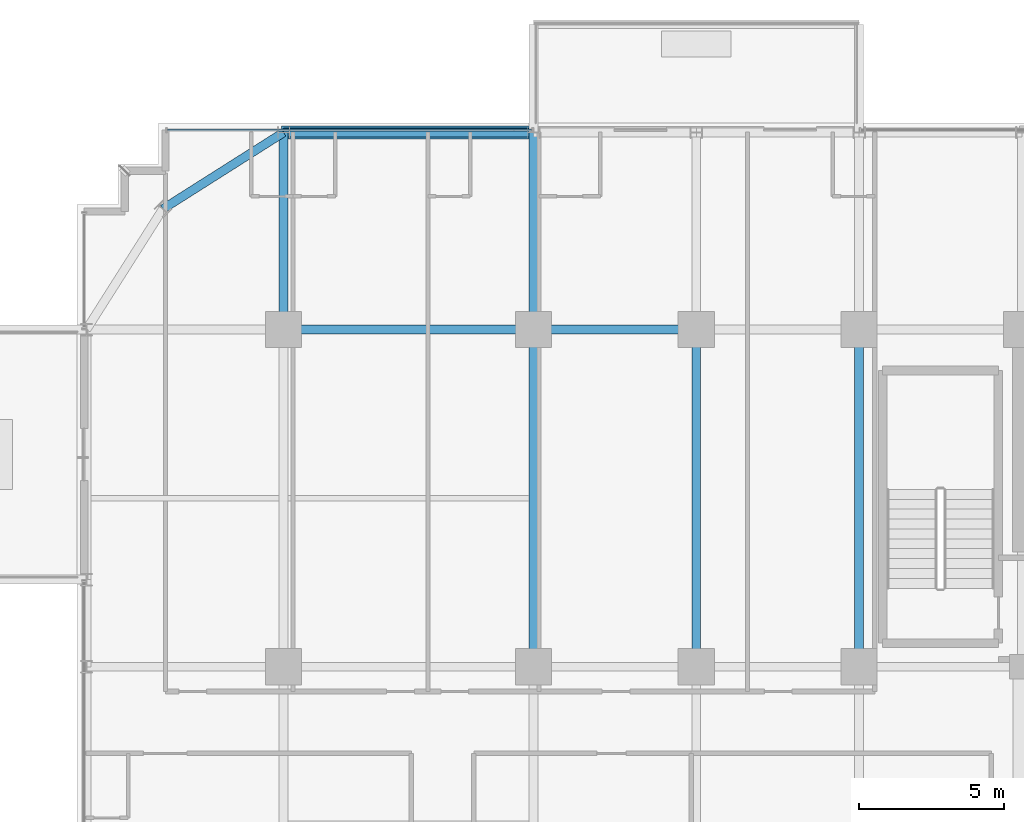
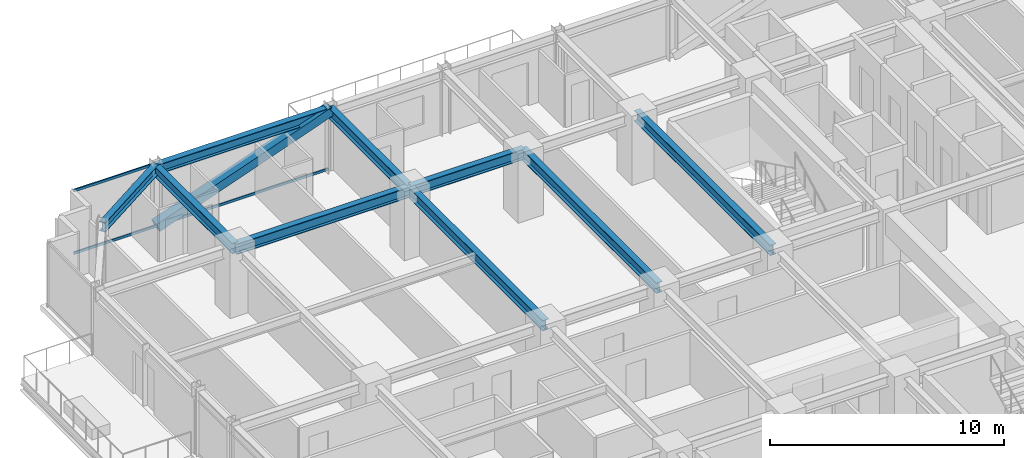
# One storey, part 19 of 40: 9 beams, 3 members, 1 element without a shape of its own.
"""IFC4 building model written with IfcOpenShell, lengths in metres."""

from ifc_helpers import new_model, si_unit, direction, frame, origin, origin_2d, place, context, subcontext, project, spatial, hollow_rectangle, i_section, extrude, source, transform, mapped, material, material_profile, profile_set, type_object, element, aggregate, save


model = new_model("IFC4")

# Units and contexts
model_context = context("Model", 3, precision=1e-05, world=origin(), true_north=direction((0.0, 1.0)))
body_context = subcontext(model_context, "Body", "Model", "MODEL_VIEW")
ifc_project = project(units=[si_unit("LENGTHUNIT", "METRE"), si_unit("AREAUNIT", "SQUARE_METRE"), si_unit("VOLUMEUNIT", "CUBIC_METRE"), si_unit("PLANEANGLEUNIT", "RADIAN"), si_unit("MASSUNIT", "GRAM", prefix="KILO")], contexts=[model_context])

# Site, building, storey
site_placement = place(None, origin())
site = spatial("IfcSite", under=ifc_project, at=site_placement, CompositionType="ELEMENT")
building_placement = place(site_placement, origin())
building = spatial("IfcBuilding", under=site, at=building_placement, Name="Nahalor Promenade Grand Hotel", CompositionType="ELEMENT")
storey_placement = place(building_placement, frame((0.0, 0.0, 91.949951171875)))
storey = spatial("IfcBuildingStorey", under=building, at=storey_placement, Name="L22", CompositionType="ELEMENT", Elevation=91.949951171875)

# Beams
ifc_material_1 = material(Name="Steel S355JR", Category="steel")
ifc_material_profile_1 = material_profile(ifc_material_1, i_section(OverallWidth=0.3, OverallDepth=0.5, WebThickness=0.0145, FlangeThickness=0.028, at=origin_2d()), Name="HEB 500")
ifc_profile_set_1 = profile_set([ifc_material_profile_1], Name="Steel S355JR")
beam_type_1 = type_object("IfcBeamType", Name="Beam-Spandrel-HEB500", PredefinedType="SPANDREL", material=ifc_profile_set_1)
shared_shape_1 = source(origin(), body_context, "Body", "SweptSolid", [
    extrude(i_section(OverallWidth=0.3, OverallDepth=0.5, WebThickness=0.0145, FlangeThickness=0.028, at=origin_2d()), origin(), (0.0, 0.0, 1.0), 8.60009765625),
])
beam_1_placement = place(storey_placement, frame((-17.0, 23.780029296875, 3.130126953125), z_axis=(1.0, 0.0, 0.0), x_axis=(0.0, 1.0, 0.0)))
element("IfcBeam", 1, at=beam_1_placement, inside=storey, type_object=beam_type_1, Name="BM-L22-SP-N-0", PredefinedType="SPANDREL", context=body_context, shape_type="MappedRepresentation", body=[
    mapped(shared_shape_1, transform((0.0, 0.0, 0.0), scale=1.0)),
])
shared_shape_2 = source(origin(), body_context, "Body", "SweptSolid", [
    extrude(i_section(OverallWidth=0.3, OverallDepth=0.5, WebThickness=0.0145, FlangeThickness=0.028, at=origin_2d()), origin(), (0.0, 0.0, 1.0), 4.9130859375),
])
beam_2_placement = place(storey_placement, frame((-17.0, 23.780029296875, 3.130126953125), z_axis=(-0.844648325505, -0.535321591403, 0.0), x_axis=(0.535321591403, -0.844648325505, 0.0)))
element("IfcBeam", 2, at=beam_2_placement, inside=storey, type_object=beam_type_1, Name="BM-L22-SPC-NW-1", PredefinedType="SPANDREL", context=body_context, shape_type="MappedRepresentation", body=[
    mapped(shared_shape_2, transform((0.0, 0.0, 0.0), scale=1.0)),
])
ifc_material_profile_2 = material_profile(ifc_material_1, i_section(OverallWidth=0.3, OverallDepth=0.55, WebThickness=0.015, FlangeThickness=0.029, at=origin_2d()), Name="HEB 550")
ifc_profile_set_2 = profile_set([ifc_material_profile_2], Name="Steel S355JR")
beam_type_2 = type_object("IfcBeamType", Name="Beam-Girder-HEB550", PredefinedType="BEAM", material=ifc_profile_set_2)
shared_shape_3 = source(origin(), body_context, "Body", "SweptSolid", [
    extrude(i_section(OverallWidth=0.3, OverallDepth=0.55, WebThickness=0.015, FlangeThickness=0.029, at=origin_2d()), origin(), (0.0, 0.0, 1.0), 6.780029296875),
])
for number, where, z_axis, x_axis, name in (
    (3, (-17.0, 17.0, 3.10498046875), (0.0, 1.0, 0.0), (-1.0, 0.0, 0.0), "BM-L22-GY-0-4"),
    (4, (-8.39990234375, 17.0, 3.10498046875), (0.0, 1.0, 0.0), (-1.0, 0.0, 0.0), "BM-L22-GY-1-4"),
):
    element("IfcBeam", number, at=place(storey_placement, frame(where, z_axis=z_axis, x_axis=x_axis)), inside=storey, type_object=beam_type_2, Name=name, PredefinedType="BEAM", context=body_context, shape_type="MappedRepresentation", body=[
        mapped(shared_shape_3, transform((0.0, 0.0, 0.0), scale=1.0)),
    ])
shared_shape_4 = source(origin(), body_context, "Body", "SweptSolid", [
    extrude(i_section(OverallWidth=0.3, OverallDepth=0.55, WebThickness=0.015, FlangeThickness=0.029, at=origin_2d()), origin(), (0.0, 0.0, 1.0), 8.60009765625),
])
beam_3_placement = place(storey_placement, frame((-17.0, 17.0, 3.10498046875), z_axis=(1.0, 0.0, 0.0), x_axis=(0.0, 1.0, 0.0)))
element("IfcBeam", 5, at=beam_3_placement, inside=storey, type_object=beam_type_2, Name="BM-L22-GX-3-1", PredefinedType="BEAM", context=body_context, shape_type="MappedRepresentation", body=[
    mapped(shared_shape_4, transform((0.0, 0.0, 0.0), scale=1.0)),
])
shared_shape_5 = source(origin(), body_context, "Body", "SweptSolid", [
    extrude(i_section(OverallWidth=0.3, OverallDepth=0.55, WebThickness=0.015, FlangeThickness=0.029, at=origin_2d()), origin(), (0.0, 0.0, 1.0), 5.599853515625),
])
beam_4_placement = place(storey_placement, frame((-8.39990234375, 17.0, 3.10498046875), z_axis=(1.0, 0.0, 0.0), x_axis=(0.0, 1.0, 0.0)))
element("IfcBeam", 6, at=beam_4_placement, inside=storey, type_object=beam_type_2, Name="BM-L22-GX-3-2", PredefinedType="BEAM", context=body_context, shape_type="MappedRepresentation", body=[
    mapped(shared_shape_5, transform((0.0, 0.0, 0.0), scale=1.0)),
])
shared_shape_6 = source(origin(), body_context, "Body", "SweptSolid", [
    extrude(i_section(OverallWidth=0.3, OverallDepth=0.55, WebThickness=0.015, FlangeThickness=0.029, at=origin_2d()), origin(), (0.0, 0.0, 1.0), 11.60009765625),
])
for number, where, z_axis, x_axis, name in (
    (7, (-8.39990234375, 5.39990234375, 3.10498046875), (0.0, 1.0, 0.0), (-1.0, 0.0, 0.0), "BM-L22-GY-1-3"),
    (8, (-2.800048828125, 5.39990234375, 3.10498046875), (0.0, 1.0, 0.0), (-1.0, 0.0, 0.0), "BM-L22-GY-2-3"),
    (9, (2.800048828125, 5.39990234375, 3.10498046875), (0.0, 1.0, 0.0), (-1.0, 0.0, 0.0), "BM-L22-GY-3-3"),
):
    element("IfcBeam", number, at=place(storey_placement, frame(where, z_axis=z_axis, x_axis=x_axis)), inside=storey, type_object=beam_type_2, Name=name, PredefinedType="BEAM", context=body_context, shape_type="MappedRepresentation", body=[
        mapped(shared_shape_6, transform((0.0, 0.0, 0.0), scale=1.0)),
    ])

# Member
ifc_material_2 = material(Name="Steel S355J2", Category="steel")
ifc_material_profile_3 = material_profile(ifc_material_2, hollow_rectangle(XDim=0.45, YDim=0.45, WallThickness=0.025, at=origin_2d()), Name="SHS 450x450x25")
ifc_profile_set_3 = profile_set([ifc_material_profile_3], Name="Steel S355J2")
member_type_1 = type_object("IfcMemberType", Name="Mem-ExoBrace-SHS450", PredefinedType="BRACE", material=ifc_profile_set_3)
shared_shape_7 = source(origin(), body_context, "Body", "SweptSolid", [
    extrude(hollow_rectangle(XDim=0.45, YDim=0.45, WallThickness=0.025, at=origin_2d()), origin(), (0.0, 0.0, 1.0), 9.135009765625),
])
member_1_placement = place(storey_placement, frame((-17.0, 23.780029296875, 0.150146484375), z_axis=(0.941451323466, 0.0, 0.337148936738), x_axis=(0.0, 1.0, 0.0)))
element("IfcMember", 10, at=member_1_placement, inside=storey, type_object=member_type_1, Name="EXO-L22-N-0", PredefinedType="BRACE", context=body_context, shape_type="MappedRepresentation", body=[
    mapped(shared_shape_7, transform((0.0, 0.0, 0.0), scale=1.0)),
])

# Curtain wall, members
ifc_material_3 = material(Name="Anodised Bronze Aluminium EN AW-6063 T6", Category="aluminium")
curtain_wall_type = type_object("IfcCurtainWallType", Name="CW2 Typical Hotel Flush Bronze Unitised Curtain Wall", PredefinedType="USERDEFINED", material=ifc_material_3)
curtain_wall_placement = place(storey_placement, origin())
curtain_wall = element("IfcCurtainWall", 11, at=curtain_wall_placement, inside=storey, type_object=curtain_wall_type, Name="L22 Curtain Wall CW-L22-N-1", ObjectType="UNITISED_CURTAIN_WALL", PredefinedType="USERDEFINED")
ifc_material_profile_4 = material_profile(ifc_material_3, hollow_rectangle(XDim=0.065, YDim=0.13, WallThickness=0.004, at=origin_2d()), Name="CWT 65x130x4")
ifc_profile_set_4 = profile_set([ifc_material_profile_4], Name="Anodised Bronze Aluminium EN AW-6063 T6")
member_type_2 = type_object("IfcMemberType", Name="CWT2 Typical Bronze Transom 65x130", PredefinedType="USERDEFINED", material=ifc_profile_set_4)
shared_shape_8 = source(origin(), body_context, "Body", "SweptSolid", [
    extrude(hollow_rectangle(XDim=0.065, YDim=0.13, WallThickness=0.004, at=origin_2d()), origin(), (0.0, 0.0, 1.0), 12.530029296875),
])
member_2_placement = place(storey_placement, frame((-20.9951171875, 23.860107421875, 0.06494140625), z_axis=(1.0, 0.0, 0.0), x_axis=(0.0, 1.0, 0.0)))
member_2 = element("IfcMember", 12, at=member_2_placement, type_object=member_type_2, Name="CW-L22-N-1 Transom 0-0", ObjectType="TRANSOM", PredefinedType="USERDEFINED", context=body_context, shape_type="MappedRepresentation", body=[
    mapped(shared_shape_8, transform((0.0, 0.0, 0.0), scale=1.0)),
])
member_3_placement = place(storey_placement, frame((-20.9951171875, 23.860107421875, 3.31494140625), z_axis=(1.0, 0.0, 0.0), x_axis=(0.0, 1.0, 0.0)))
member_3 = element("IfcMember", 13, at=member_3_placement, type_object=member_type_2, Name="CW-L22-N-1 Transom 0-1", ObjectType="TRANSOM", PredefinedType="USERDEFINED", context=body_context, shape_type="MappedRepresentation", body=[
    mapped(shared_shape_8, transform((0.0, 0.0, 0.0), scale=1.0)),
])
aggregate(curtain_wall, [member_2, member_3])

save(model, "model.ifc")
